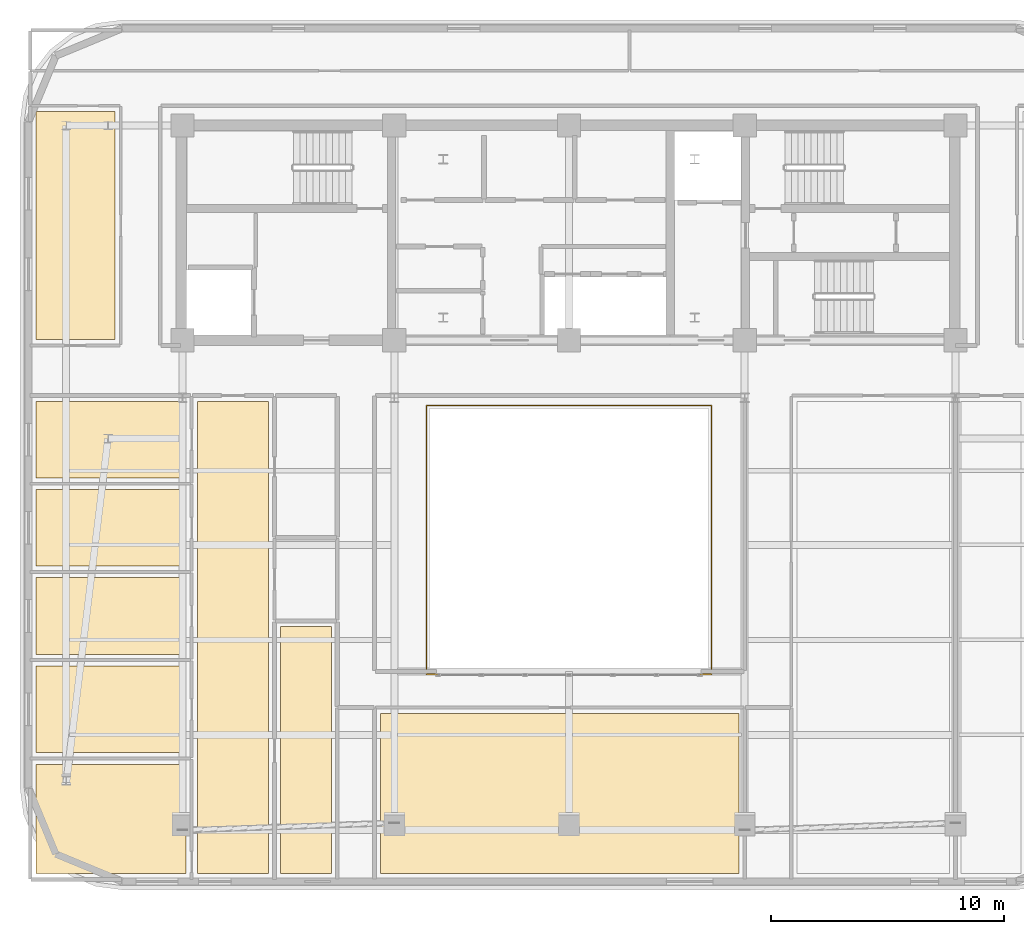
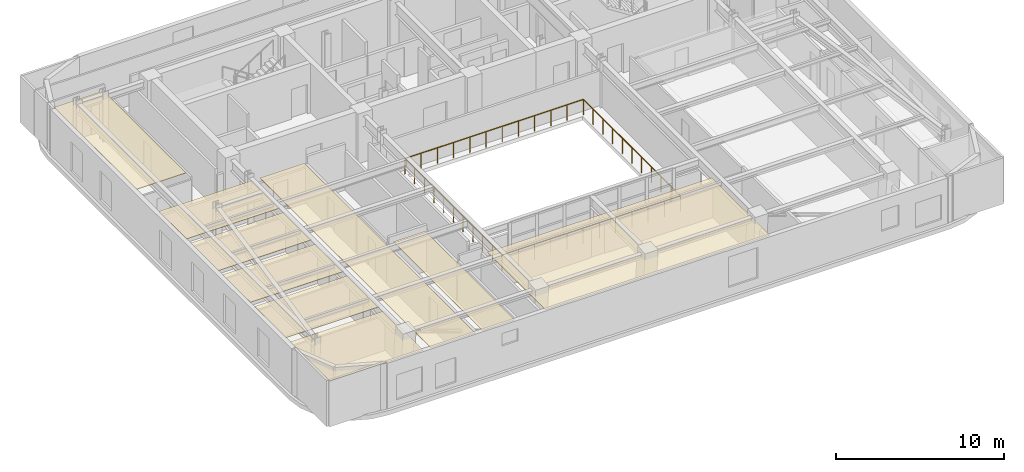
# One storey, part 11 of 14: 9 coverings, 1 railing.
"""IFC4 building model written with IfcOpenShell, lengths in metres."""

import ifcopenshell
import ifcopenshell.guid

model = None  # the IFC model being written
_history = None  # IfcOwnerHistory: only IFC2X3 demands one
_inside = {}  # id of a spatial element -> (the spatial element, [elements in it])
_under = {}  # id of a project, library or spatial element -> (it, [spatial elements below it])
_declared = {}  # id of a project -> (the project, [libraries it declares])
_typed = {}  # id of a type object -> (the type object, [elements of that type])
_made_of = {}  # id of a material, layer set ... -> (it, [elements and type objects made of it])


def new_model(schema):
    """Start an empty IFC model of exactly this schema.

    Asked for "IFC4X3", IfcOpenShell would pick the latest addendum, in which some entities
    have other attributes; the version numbers below select the first issue.
    IFC2X3 requires an IfcOwnerHistory on every rooted entity: one is made here for all.
    """
    global model, _history
    if schema == "IFC4X3":
        model = ifcopenshell.file(schema_version=(4, 3, 0, 0))
    else:
        model = ifcopenshell.file(schema=schema)
    _inside.clear()
    _under.clear()
    _declared.clear()
    _typed.clear()
    _made_of.clear()
    _history = None
    if model.schema == "IFC2X3":
        org = make("IfcOrganization", Name="unknown")
        user = make(
            "IfcPersonAndOrganization",
            ThePerson=make("IfcPerson", FamilyName="unknown"),
            TheOrganization=org,
        )
        app = make(
            "IfcApplication",
            ApplicationDeveloper=org,
            Version="unknown",
            ApplicationFullName="unknown",
            ApplicationIdentifier="unknown",
        )
        _history = make(
            "IfcOwnerHistory",
            OwningUser=user,
            OwningApplication=app,
            ChangeAction="ADDED",
            CreationDate=0,
        )
    return model


def make(cls, **values):
    """One entity of the class cls with the attributes given. An attribute that is None is left unset."""
    return model.create_entity(
        cls, **{name: value for name, value in values.items() if value is not None}
    )


def rooted(cls, **values):
    """An entity with a GlobalId (a new one), such as an element, a storey or a relation."""
    return make(cls, GlobalId=ifcopenshell.guid.new(), OwnerHistory=_history, **values)


def si_unit(unit_type, name, prefix=None):
    """IfcSIUnit, for example si_unit("LENGTHUNIT", "METRE", prefix="MILLI")."""
    return make("IfcSIUnit", UnitType=unit_type, Prefix=prefix, Name=name)


def assignment(units):
    """IfcUnitAssignment: the units of a project."""
    return None if units is None else make("IfcUnitAssignment", Units=units)


def point(xyz):
    """IfcCartesianPoint."""
    return None if xyz is None else make("IfcCartesianPoint", Coordinates=xyz)


def direction(xyz):
    """IfcDirection."""
    return None if xyz is None else make("IfcDirection", DirectionRatios=xyz)


def frame(location, z_axis=None, x_axis=None):
    """IfcAxis2Placement3D, a coordinate frame: its origin and axes. An axis left out is left unset."""
    return make(
        "IfcAxis2Placement3D",
        Location=point(location),
        Axis=direction(z_axis),
        RefDirection=direction(x_axis),
    )


def frame_2d(location, x_axis=None):
    """IfcAxis2Placement2D, a coordinate frame in the plane: its origin and x axis."""
    return make(
        "IfcAxis2Placement2D", Location=point(location), RefDirection=direction(x_axis)
    )


def origin():
    """The frame at (0, 0, 0) with its axes left unset."""
    return frame((0.0, 0.0, 0.0))


def origin_2d():
    """The frame at (0, 0) in the plane with its x axis left unset."""
    return frame_2d((0.0, 0.0))


def place(relative_to, where):
    """IfcLocalPlacement: puts the frame where relative to a parent placement (None: the world)."""
    return make(
        "IfcLocalPlacement", PlacementRelTo=relative_to, RelativePlacement=where
    )


def context(
    kind, dimensions, precision=None, world=None, true_north=None, identifier=None
):
    """IfcGeometricRepresentationContext, for example the 3D "Model" context."""
    return make(
        "IfcGeometricRepresentationContext",
        ContextIdentifier=identifier,
        ContextType=kind,
        CoordinateSpaceDimension=dimensions,
        Precision=precision,
        WorldCoordinateSystem=world,
        TrueNorth=true_north,
    )


def subcontext(parent, identifier, kind, view, scale=None):
    """IfcGeometricRepresentationSubContext, for example "Body" below "Model"."""
    return make(
        "IfcGeometricRepresentationSubContext",
        ContextIdentifier=identifier,
        ContextType=kind,
        ParentContext=parent,
        TargetScale=scale,
        TargetView=view,
    )


def project(units=None, contexts=None):
    """IfcProject with its units and contexts."""
    return rooted(
        "IfcProject",
        Name="project",
        RepresentationContexts=contexts,
        UnitsInContext=assignment(units),
    )


def spatial(cls, under=None, at=None, **own):
    """A site, building, storey or space (cls), placed at a placement, below another one or the project."""
    s = rooted(cls, ObjectPlacement=at, **own)
    if under is not None:
        _under.setdefault(under.id(), (under, []))[1].append(s)
    return s


def polyline(points):
    """IfcPolyline through the points."""
    return make("IfcPolyline", Points=[point(p) for p in points])


def profile(cls, at=None, kind="AREA", **sizes):
    """A parametric profile (cls). Its sizes go by their IFC names, for example OverallWidth=200.0."""
    return make(cls, ProfileType=kind, Position=at, **sizes)


def rectangle(**sizes):
    """IfcRectangleProfileDef."""
    return profile("IfcRectangleProfileDef", **sizes)


def outline(outer, holes=None, kind="AREA"):
    """IfcArbitraryClosedProfileDef: a profile drawn as a closed curve; with holes, ...WithVoids."""
    if holes is None:
        return make("IfcArbitraryClosedProfileDef", ProfileType=kind, OuterCurve=outer)
    return make(
        "IfcArbitraryProfileDefWithVoids",
        ProfileType=kind,
        OuterCurve=outer,
        InnerCurves=holes,
    )


def extrude(swept, where, along, depth):
    """IfcExtrudedAreaSolid: the profile swept, set in the frame where, extruded along a direction by depth."""
    return make(
        "IfcExtrudedAreaSolid",
        SweptArea=swept,
        Position=where,
        ExtrudedDirection=direction(along),
        Depth=depth,
    )


def shape(context_of_items, identifier, shape_type, items):
    """IfcShapeRepresentation: the items that make up one representation, for example the "Body"."""
    return make(
        "IfcShapeRepresentation",
        ContextOfItems=context_of_items,
        RepresentationIdentifier=identifier,
        RepresentationType=shape_type,
        Items=items,
    )


def material(Name=None, Category=None):
    """IfcMaterial."""
    return make("IfcMaterial", Name=Name, Category=Category)


def layer(
    of_material, thickness, ventilated=None, Name=None, Category=None, Priority=None
):
    """IfcMaterialLayer: one layer of a wall or slab, of a material (None: an air gap)."""
    return make(
        "IfcMaterialLayer",
        Material=of_material,
        LayerThickness=thickness,
        IsVentilated=ventilated,
        Name=Name,
        Category=Category,
        Priority=Priority,
    )


def layer_set(layers, Name=None):
    """IfcMaterialLayerSet."""
    return make("IfcMaterialLayerSet", MaterialLayers=layers, LayerSetName=Name)


def made_of(thing, what):
    """Note that an element or type object is made of a material, layer set ...; save() writes the relation."""
    if what is not None:
        _made_of.setdefault(what.id(), (what, []))[1].append(thing)
    return thing


def type_object(cls, material=None, **own):
    """A type object (cls), such as IfcWallType, which elements share."""
    return made_of(rooted(cls, **own), material)


def element(
    cls,
    number,
    at=None,
    inside=None,
    cuts=None,
    type_object=None,
    material=None,
    context=None,
    identifier="Body",
    shape_type=None,
    held_by="IfcProductDefinitionShape",
    body=None,
    shapes=None,
    **own,
):
    """One element of the class cls, such as IfcWall. Its Tag is "e" and its number.

    at: its placement. inside: the storey or other place that contains it. cuts: it is an
    opening in that element (IfcRelVoidsElement). A single representation is given by context,
    identifier, shape_type and body (its items); several are given by shapes. held_by: the class
    of the entity that holds the representations. save() writes the other relations.
    """
    e = rooted(cls, Tag="e%d" % number, ObjectPlacement=at, **own)
    if body is not None:
        shapes = [shape(context, identifier, shape_type, body)]
    if shapes is not None:
        e.Representation = make(held_by, Representations=shapes)
    if inside is not None:
        _inside.setdefault(inside.id(), (inside, []))[1].append(e)
    if cuts is not None:
        rooted(
            "IfcRelVoidsElement", RelatingBuildingElement=cuts, RelatedOpeningElement=e
        )
    if type_object is not None:
        _typed.setdefault(type_object.id(), (type_object, []))[1].append(e)
    return made_of(e, material)


def aggregate(whole, parts):
    """IfcRelAggregates: a whole, such as a stair, and the parts it consists of."""
    return rooted("IfcRelAggregates", RelatingObject=whole, RelatedObjects=parts)


def save(model, path):
    """Write the relations noted so far, then the file.

    IfcRelAggregates (storeys below a building ...), IfcRelContainedInSpatialStructure (elements
    in a storey), IfcRelDefinesByType, IfcRelAssociatesMaterial and IfcRelDeclares: one each for
    every whole, place, type object, material and project.
    """
    for whole, parts in _under.values():
        aggregate(whole, parts)
    for where, things in _inside.values():
        rooted(
            "IfcRelContainedInSpatialStructure",
            RelatedElements=things,
            RelatingStructure=where,
        )
    for kind, things in _typed.values():
        rooted("IfcRelDefinesByType", RelatedObjects=things, RelatingType=kind)
    for what, things in _made_of.values():
        rooted("IfcRelAssociatesMaterial", RelatedObjects=things, RelatingMaterial=what)
    for by, libraries in _declared.values():
        rooted("IfcRelDeclares", RelatingContext=by, RelatedDefinitions=libraries)
    model.write(path)


model = new_model("IFC4")

# Units and contexts
model_context = context("Model", 3, precision=1e-05, world=origin(), true_north=direction((0.0, 1.0)))
body_context = subcontext(model_context, "Body", "Model", "MODEL_VIEW")
ifc_project = project(units=[si_unit("LENGTHUNIT", "METRE"), si_unit("AREAUNIT", "SQUARE_METRE"), si_unit("VOLUMEUNIT", "CUBIC_METRE"), si_unit("PLANEANGLEUNIT", "RADIAN"), si_unit("MASSUNIT", "GRAM", prefix="KILO")], contexts=[model_context])

# Site, building, storey
site_placement = place(None, origin())
site = spatial("IfcSite", under=ifc_project, at=site_placement, CompositionType="ELEMENT")
building_placement = place(site_placement, origin())
building = spatial("IfcBuilding", under=site, at=building_placement, Name="Zarnavel Station Tower", CompositionType="ELEMENT")
storey_placement = place(building_placement, frame((0.0, 0.0, 211.199951171875)))
storey = spatial("IfcBuildingStorey", under=building, at=storey_placement, Name="L57", CompositionType="ELEMENT", Elevation=211.199951171875)

# Coverings
ifc_material_1 = material(Name="Perforated Gypsum and Mineral-Wool Acoustic Ceiling", Category="concrete")
ifc_layer = layer(ifc_material_1, 0.0400390625)
ifc_layer_set = layer_set([ifc_layer], Name="COV_CEIL_ACOUSTIC")
covering_type = type_object("IfcCoveringType", Name="COV_CEIL_ACOUSTIC", PredefinedType="CEILING", material=ifc_layer_set)
covering_1_placement = place(storey_placement, frame((0.0, 0.0, 3.02001953125)))
element("IfcCovering", 1, at=covering_1_placement, inside=storey, type_object=covering_type, Name="L57 FNW Acoustic Ceiling", PredefinedType="CEILING", context=body_context, shape_type="SweptSolid", body=[
    extrude(outline(polyline([(5.909912109375, 27.85009765625), (9.300048828125, 27.85009765625), (9.300048828125, 37.64990234375), (5.909912109375, 37.64990234375), (5.909912109375, 27.85009765625)])), origin(), (0.0, 0.0, 1.0), 0.0400390625),
])
covering_2_placement = place(storey_placement, frame((0.0, 0.0, 3.02001953125)))
element("IfcCovering", 2, at=covering_2_placement, inside=storey, type_object=covering_type, Name="L57 UW1LV Acoustic Ceiling", PredefinedType="CEILING", context=body_context, shape_type="SweptSolid", body=[
    extrude(outline(polyline([(12.841064453125, 4.909912109375), (15.89990234375, 4.909912109375), (15.89990234375, 25.199951171875), (12.841064453125, 25.199951171875), (12.841064453125, 4.909912109375)])), origin(), (0.0, 0.0, 1.0), 0.0400390625),
])
covering_3_placement = place(storey_placement, frame((0.0, 0.0, 3.02001953125)))
element("IfcCovering", 3, at=covering_3_placement, inside=storey, type_object=covering_type, Name="L57 UW1KT Acoustic Ceiling", PredefinedType="CEILING", context=body_context, shape_type="SweptSolid", body=[
    extrude(outline(polyline([(16.39990234375, 4.909912109375), (18.60009765625, 4.909912109375), (18.60009765625, 15.52099609375), (16.39990234375, 15.52099609375), (16.39990234375, 4.909912109375)])), origin(), (0.0, 0.0, 1.0), 0.0400390625),
])
covering_4_placement = place(storey_placement, frame((0.0, 0.0, 3.02001953125)))
element("IfcCovering", 4, at=covering_4_placement, inside=storey, type_object=covering_type, Name="L57 UW1B1 Acoustic Ceiling", PredefinedType="CEILING", context=body_context, shape_type="SweptSolid", body=[
    extrude(outline(polyline([(5.909912109375, 4.909912109375), (12.341064453125, 4.909912109375), (12.341064453125, 9.60693359375), (5.909912109375, 9.60693359375), (5.909912109375, 4.909912109375)])), origin(), (0.0, 0.0, 1.0), 0.0400390625),
])
covering_5_placement = place(storey_placement, frame((0.0, 0.0, 3.02001953125)))
element("IfcCovering", 5, at=covering_5_placement, inside=storey, type_object=covering_type, Name="L57 UW1B2 Acoustic Ceiling", PredefinedType="CEILING", context=body_context, shape_type="SweptSolid", body=[
    extrude(outline(polyline([(5.909912109375, 10.10693359375), (12.341064453125, 10.10693359375), (12.341064453125, 13.8349609375), (5.909912109375, 13.8349609375), (5.909912109375, 10.10693359375)])), origin(), (0.0, 0.0, 1.0), 0.0400390625),
])
covering_6_placement = place(storey_placement, frame((0.0, 0.0, 3.02001953125)))
element("IfcCovering", 6, at=covering_6_placement, inside=storey, type_object=covering_type, Name="L57 UW1B3 Acoustic Ceiling", PredefinedType="CEILING", context=body_context, shape_type="SweptSolid", body=[
    extrude(outline(polyline([(5.909912109375, 14.3349609375), (12.341064453125, 14.3349609375), (12.341064453125, 17.623046875), (5.909912109375, 17.623046875), (5.909912109375, 14.3349609375)])), origin(), (0.0, 0.0, 1.0), 0.0400390625),
])
covering_7_placement = place(storey_placement, frame((0.0, 0.0, 3.02001953125)))
element("IfcCovering", 7, at=covering_7_placement, inside=storey, type_object=covering_type, Name="L57 UW1B4 Acoustic Ceiling", PredefinedType="CEILING", context=body_context, shape_type="SweptSolid", body=[
    extrude(outline(polyline([(5.909912109375, 18.123046875), (12.341064453125, 18.123046875), (12.341064453125, 21.410888671875), (5.909912109375, 21.410888671875), (5.909912109375, 18.123046875)])), origin(), (0.0, 0.0, 1.0), 0.0400390625),
])
covering_8_placement = place(storey_placement, frame((0.0, 0.0, 3.02001953125)))
element("IfcCovering", 8, at=covering_8_placement, inside=storey, type_object=covering_type, Name="L57 UW1B5 Acoustic Ceiling", PredefinedType="CEILING", context=body_context, shape_type="SweptSolid", body=[
    extrude(outline(polyline([(5.909912109375, 21.910888671875), (12.341064453125, 21.910888671875), (12.341064453125, 25.199951171875), (5.909912109375, 25.199951171875), (5.909912109375, 21.910888671875)])), origin(), (0.0, 0.0, 1.0), 0.0400390625),
])
covering_9_placement = place(storey_placement, frame((0.0, 0.0, 3.02001953125)))
element("IfcCovering", 9, at=covering_9_placement, inside=storey, type_object=covering_type, Name="L57 L57WIN Acoustic Ceiling", PredefinedType="CEILING", context=body_context, shape_type="SweptSolid", body=[
    extrude(outline(polyline([(20.699951171875, 4.909912109375), (36.10009765625, 4.909912109375), (36.10009765625, 11.800048828125), (20.699951171875, 11.800048828125), (20.699951171875, 4.909912109375)])), origin(), (0.0, 0.0, 1.0), 0.0400390625),
])

# Railing
ifc_material_2 = material(Name="Painted Steel S355J2 Balustrade", Category="steel")
railing_type = type_object("IfcRailingType", Name="GR_INT_1150", PredefinedType="GUARDRAIL", material=ifc_material_2)
railing_placement = place(storey_placement, frame((22.679931640625, 13.47998046875, 0.0)))
element("IfcRailing", 10, at=railing_placement, inside=storey, type_object=railing_type, Name="L57 Atrium Void Guardrail", PredefinedType="GUARDRAIL", context=body_context, shape_type="SweptSolid", body=[
    extrude(rectangle(XDim=0.048095703125, YDim=0.048095703125, at=origin_2d()), frame((0.001953125, 0.0, 1.1259765625), z_axis=(1.0, 0.0, 0.0), x_axis=(0.0, 1.0, 0.0)), (0.0, 0.0, 1.0), 12.236083984375),
    extrude(rectangle(XDim=0.048095703125, YDim=0.048095703125, at=origin_2d()), frame((12.239990234375, 0.001953125, 1.1259765625), z_axis=(0.0, 1.0, 0.0), x_axis=(-1.0, 0.0, 0.0)), (0.0, 0.0, 1.0), 11.5361328125),
    extrude(rectangle(XDim=0.048095703125, YDim=0.048095703125, at=origin_2d()), frame((12.238037109375, 11.5400390625, 1.1259765625), z_axis=(-1.0, 0.0, 0.0), x_axis=(0.0, -1.0, 0.0)), (0.0, 0.0, 1.0), 12.236083984375),
    extrude(rectangle(XDim=0.048095703125, YDim=0.048095703125, at=origin_2d()), frame((0.0, 11.5380859375, 1.1259765625), z_axis=(0.0, -1.0, 0.0), x_axis=(1.0, 0.0, 0.0)), (0.0, 0.0, 1.0), 11.5361328125),
    extrude(rectangle(XDim=0.0419921875, YDim=0.0419921875, at=origin_2d()), origin(), (0.0, 0.0, 1.0), 1.101806640625),
    extrude(rectangle(XDim=0.0419921875, YDim=0.0419921875, at=origin_2d()), frame((1.11279296875, 0.0, 0.0)), (0.0, 0.0, 1.0), 1.101806640625),
    extrude(rectangle(XDim=0.0419921875, YDim=0.0419921875, at=origin_2d()), frame((2.225341796875, 0.0, 0.0)), (0.0, 0.0, 1.0), 1.101806640625),
    extrude(rectangle(XDim=0.0419921875, YDim=0.0419921875, at=origin_2d()), frame((3.338134765625, 0.0, 0.0)), (0.0, 0.0, 1.0), 1.101806640625),
    extrude(rectangle(XDim=0.0419921875, YDim=0.0419921875, at=origin_2d()), frame((4.450927734375, 0.0, 0.0)), (0.0, 0.0, 1.0), 1.101806640625),
    extrude(rectangle(XDim=0.0419921875, YDim=0.0419921875, at=origin_2d()), frame((5.563720703125, 0.0, 0.0)), (0.0, 0.0, 1.0), 1.101806640625),
    extrude(rectangle(XDim=0.0419921875, YDim=0.0419921875, at=origin_2d()), frame((6.67626953125, 0.0, 0.0)), (0.0, 0.0, 1.0), 1.101806640625),
    extrude(rectangle(XDim=0.0419921875, YDim=0.0419921875, at=origin_2d()), frame((7.7890625, 0.0, 0.0)), (0.0, 0.0, 1.0), 1.101806640625),
    extrude(rectangle(XDim=0.0419921875, YDim=0.0419921875, at=origin_2d()), frame((8.90185546875, 0.0, 0.0)), (0.0, 0.0, 1.0), 1.101806640625),
    extrude(rectangle(XDim=0.0419921875, YDim=0.0419921875, at=origin_2d()), frame((10.0146484375, 0.0, 0.0)), (0.0, 0.0, 1.0), 1.101806640625),
    extrude(rectangle(XDim=0.0419921875, YDim=0.0419921875, at=origin_2d()), frame((11.127197265625, 0.0, 0.0)), (0.0, 0.0, 1.0), 1.101806640625),
    extrude(rectangle(XDim=0.0419921875, YDim=0.0419921875, at=origin_2d()), frame((12.239990234375, 0.0, 0.0)), (0.0, 0.0, 1.0), 1.101806640625),
    extrude(rectangle(XDim=0.0419921875, YDim=0.0419921875, at=origin_2d()), frame((12.239990234375, 1.154052734375, 0.0)), (0.0, 0.0, 1.0), 1.101806640625),
    extrude(rectangle(XDim=0.0419921875, YDim=0.0419921875, at=origin_2d()), frame((12.239990234375, 2.30810546875, 0.0)), (0.0, 0.0, 1.0), 1.101806640625),
    extrude(rectangle(XDim=0.0419921875, YDim=0.0419921875, at=origin_2d()), frame((12.239990234375, 3.4619140625, 0.0)), (0.0, 0.0, 1.0), 1.101806640625),
    extrude(rectangle(XDim=0.0419921875, YDim=0.0419921875, at=origin_2d()), frame((12.239990234375, 4.615966796875, 0.0)), (0.0, 0.0, 1.0), 1.101806640625),
    extrude(rectangle(XDim=0.0419921875, YDim=0.0419921875, at=origin_2d()), frame((12.239990234375, 5.77001953125, 0.0)), (0.0, 0.0, 1.0), 1.101806640625),
    extrude(rectangle(XDim=0.0419921875, YDim=0.0419921875, at=origin_2d()), frame((12.239990234375, 6.924072265625, 0.0)), (0.0, 0.0, 1.0), 1.101806640625),
    extrude(rectangle(XDim=0.0419921875, YDim=0.0419921875, at=origin_2d()), frame((12.239990234375, 8.078125, 0.0)), (0.0, 0.0, 1.0), 1.101806640625),
    extrude(rectangle(XDim=0.0419921875, YDim=0.0419921875, at=origin_2d()), frame((12.239990234375, 9.23193359375, 0.0)), (0.0, 0.0, 1.0), 1.101806640625),
    extrude(rectangle(XDim=0.0419921875, YDim=0.0419921875, at=origin_2d()), frame((12.239990234375, 10.385986328125, 0.0)), (0.0, 0.0, 1.0), 1.101806640625),
    extrude(rectangle(XDim=0.0419921875, YDim=0.0419921875, at=origin_2d()), frame((12.239990234375, 11.5400390625, 0.0)), (0.0, 0.0, 1.0), 1.101806640625),
    extrude(rectangle(XDim=0.0419921875, YDim=0.0419921875, at=origin_2d()), frame((11.127197265625, 11.5400390625, 0.0)), (0.0, 0.0, 1.0), 1.101806640625),
    extrude(rectangle(XDim=0.0419921875, YDim=0.0419921875, at=origin_2d()), frame((10.0146484375, 11.5400390625, 0.0)), (0.0, 0.0, 1.0), 1.101806640625),
    extrude(rectangle(XDim=0.0419921875, YDim=0.0419921875, at=origin_2d()), frame((8.90185546875, 11.5400390625, 0.0)), (0.0, 0.0, 1.0), 1.101806640625),
    extrude(rectangle(XDim=0.0419921875, YDim=0.0419921875, at=origin_2d()), frame((7.7890625, 11.5400390625, 0.0)), (0.0, 0.0, 1.0), 1.101806640625),
    extrude(rectangle(XDim=0.0419921875, YDim=0.0419921875, at=origin_2d()), frame((6.67626953125, 11.5400390625, 0.0)), (0.0, 0.0, 1.0), 1.101806640625),
    extrude(rectangle(XDim=0.0419921875, YDim=0.0419921875, at=origin_2d()), frame((5.563720703125, 11.5400390625, 0.0)), (0.0, 0.0, 1.0), 1.101806640625),
    extrude(rectangle(XDim=0.0419921875, YDim=0.0419921875, at=origin_2d()), frame((4.450927734375, 11.5400390625, 0.0)), (0.0, 0.0, 1.0), 1.101806640625),
    extrude(rectangle(XDim=0.0419921875, YDim=0.0419921875, at=origin_2d()), frame((3.338134765625, 11.5400390625, 0.0)), (0.0, 0.0, 1.0), 1.101806640625),
    extrude(rectangle(XDim=0.0419921875, YDim=0.0419921875, at=origin_2d()), frame((2.225341796875, 11.5400390625, 0.0)), (0.0, 0.0, 1.0), 1.101806640625),
    extrude(rectangle(XDim=0.0419921875, YDim=0.0419921875, at=origin_2d()), frame((1.11279296875, 11.5400390625, 0.0)), (0.0, 0.0, 1.0), 1.101806640625),
    extrude(rectangle(XDim=0.0419921875, YDim=0.0419921875, at=origin_2d()), frame((0.0, 11.5400390625, 0.0)), (0.0, 0.0, 1.0), 1.101806640625),
    extrude(rectangle(XDim=0.0419921875, YDim=0.0419921875, at=origin_2d()), frame((0.0, 10.385986328125, 0.0)), (0.0, 0.0, 1.0), 1.101806640625),
    extrude(rectangle(XDim=0.0419921875, YDim=0.0419921875, at=origin_2d()), frame((0.0, 9.23193359375, 0.0)), (0.0, 0.0, 1.0), 1.101806640625),
    extrude(rectangle(XDim=0.0419921875, YDim=0.0419921875, at=origin_2d()), frame((0.0, 8.078125, 0.0)), (0.0, 0.0, 1.0), 1.101806640625),
    extrude(rectangle(XDim=0.0419921875, YDim=0.0419921875, at=origin_2d()), frame((0.0, 6.924072265625, 0.0)), (0.0, 0.0, 1.0), 1.101806640625),
    extrude(rectangle(XDim=0.0419921875, YDim=0.0419921875, at=origin_2d()), frame((0.0, 5.77001953125, 0.0)), (0.0, 0.0, 1.0), 1.101806640625),
    extrude(rectangle(XDim=0.0419921875, YDim=0.0419921875, at=origin_2d()), frame((0.0, 4.615966796875, 0.0)), (0.0, 0.0, 1.0), 1.101806640625),
    extrude(rectangle(XDim=0.0419921875, YDim=0.0419921875, at=origin_2d()), frame((0.0, 3.4619140625, 0.0)), (0.0, 0.0, 1.0), 1.101806640625),
    extrude(rectangle(XDim=0.0419921875, YDim=0.0419921875, at=origin_2d()), frame((0.0, 2.30810546875, 0.0)), (0.0, 0.0, 1.0), 1.101806640625),
    extrude(rectangle(XDim=0.0419921875, YDim=0.0419921875, at=origin_2d()), frame((0.0, 1.154052734375, 0.0)), (0.0, 0.0, 1.0), 1.101806640625),
])

save(model, "model.ifc")
